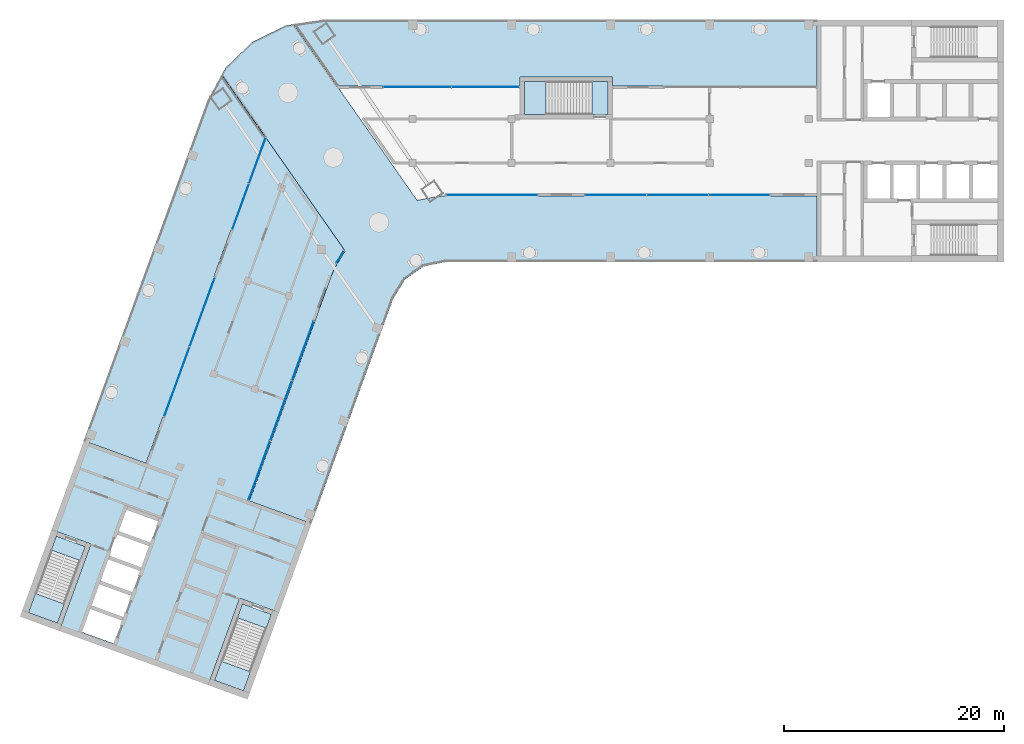
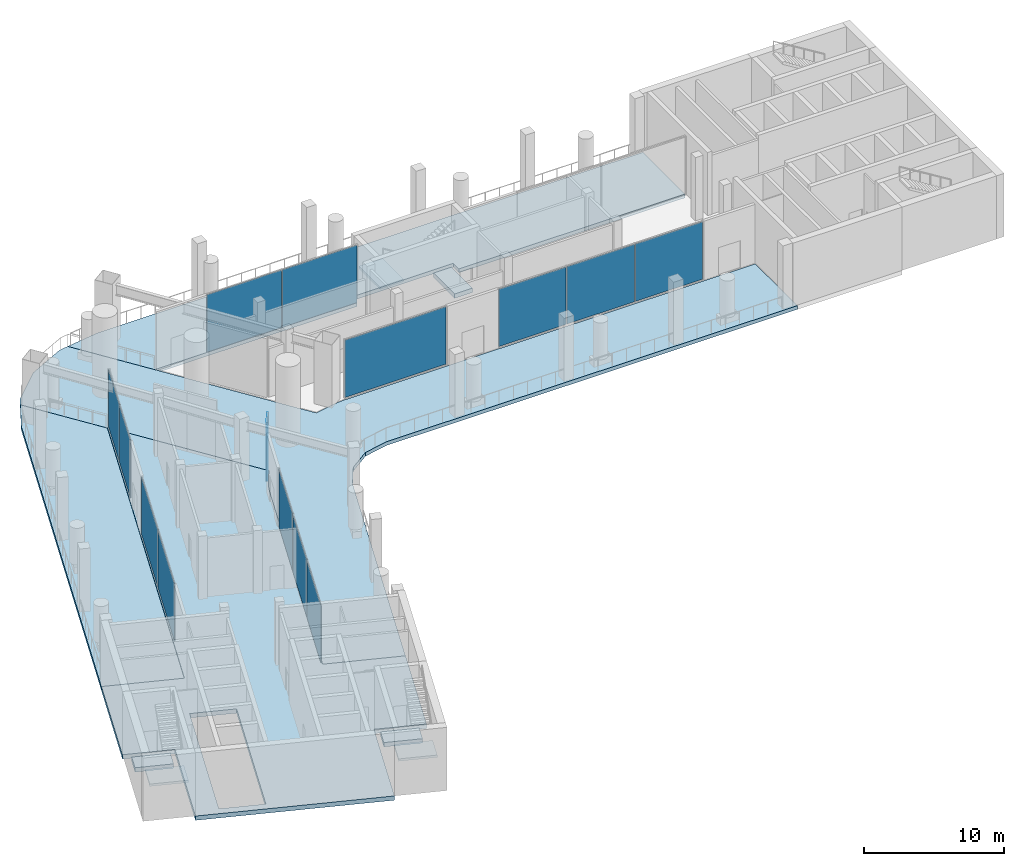
# One storey, part 6 of 17: 14 plates, 10 slabs, 10 elements without a shape of their own.
"""IFC4 building model written with IfcOpenShell, lengths in metres."""

import ifcopenshell
import ifcopenshell.guid

model = None  # the IFC model being written
_history = None  # IfcOwnerHistory: only IFC2X3 demands one
_inside = {}  # id of a spatial element -> (the spatial element, [elements in it])
_under = {}  # id of a project, library or spatial element -> (it, [spatial elements below it])
_declared = {}  # id of a project -> (the project, [libraries it declares])
_typed = {}  # id of a type object -> (the type object, [elements of that type])
_made_of = {}  # id of a material, layer set ... -> (it, [elements and type objects made of it])


def new_model(schema):
    """Start an empty IFC model of exactly this schema.

    Asked for "IFC4X3", IfcOpenShell would pick the latest addendum, in which some entities
    have other attributes; the version numbers below select the first issue.
    IFC2X3 requires an IfcOwnerHistory on every rooted entity: one is made here for all.
    """
    global model, _history
    if schema == "IFC4X3":
        model = ifcopenshell.file(schema_version=(4, 3, 0, 0))
    else:
        model = ifcopenshell.file(schema=schema)
    _inside.clear()
    _under.clear()
    _declared.clear()
    _typed.clear()
    _made_of.clear()
    _history = None
    if model.schema == "IFC2X3":
        org = make("IfcOrganization", Name="unknown")
        user = make(
            "IfcPersonAndOrganization",
            ThePerson=make("IfcPerson", FamilyName="unknown"),
            TheOrganization=org,
        )
        app = make(
            "IfcApplication",
            ApplicationDeveloper=org,
            Version="unknown",
            ApplicationFullName="unknown",
            ApplicationIdentifier="unknown",
        )
        _history = make(
            "IfcOwnerHistory",
            OwningUser=user,
            OwningApplication=app,
            ChangeAction="ADDED",
            CreationDate=0,
        )
    return model


def make(cls, **values):
    """One entity of the class cls with the attributes given. An attribute that is None is left unset."""
    return model.create_entity(
        cls, **{name: value for name, value in values.items() if value is not None}
    )


def rooted(cls, **values):
    """An entity with a GlobalId (a new one), such as an element, a storey or a relation."""
    return make(cls, GlobalId=ifcopenshell.guid.new(), OwnerHistory=_history, **values)


def si_unit(unit_type, name, prefix=None):
    """IfcSIUnit, for example si_unit("LENGTHUNIT", "METRE", prefix="MILLI")."""
    return make("IfcSIUnit", UnitType=unit_type, Prefix=prefix, Name=name)


def assignment(units):
    """IfcUnitAssignment: the units of a project."""
    return None if units is None else make("IfcUnitAssignment", Units=units)


def point(xyz):
    """IfcCartesianPoint."""
    return None if xyz is None else make("IfcCartesianPoint", Coordinates=xyz)


def direction(xyz):
    """IfcDirection."""
    return None if xyz is None else make("IfcDirection", DirectionRatios=xyz)


def frame(location, z_axis=None, x_axis=None):
    """IfcAxis2Placement3D, a coordinate frame: its origin and axes. An axis left out is left unset."""
    return make(
        "IfcAxis2Placement3D",
        Location=point(location),
        Axis=direction(z_axis),
        RefDirection=direction(x_axis),
    )


def frame_2d(location, x_axis=None):
    """IfcAxis2Placement2D, a coordinate frame in the plane: its origin and x axis."""
    return make(
        "IfcAxis2Placement2D", Location=point(location), RefDirection=direction(x_axis)
    )


def origin():
    """The frame at (0, 0, 0) with its axes left unset."""
    return frame((0.0, 0.0, 0.0))


def origin_2d():
    """The frame at (0, 0) in the plane with its x axis left unset."""
    return frame_2d((0.0, 0.0))


def place(relative_to, where):
    """IfcLocalPlacement: puts the frame where relative to a parent placement (None: the world)."""
    return make(
        "IfcLocalPlacement", PlacementRelTo=relative_to, RelativePlacement=where
    )


def context(
    kind, dimensions, precision=None, world=None, true_north=None, identifier=None
):
    """IfcGeometricRepresentationContext, for example the 3D "Model" context."""
    return make(
        "IfcGeometricRepresentationContext",
        ContextIdentifier=identifier,
        ContextType=kind,
        CoordinateSpaceDimension=dimensions,
        Precision=precision,
        WorldCoordinateSystem=world,
        TrueNorth=true_north,
    )


def subcontext(parent, identifier, kind, view, scale=None):
    """IfcGeometricRepresentationSubContext, for example "Body" below "Model"."""
    return make(
        "IfcGeometricRepresentationSubContext",
        ContextIdentifier=identifier,
        ContextType=kind,
        ParentContext=parent,
        TargetScale=scale,
        TargetView=view,
    )


def project(units=None, contexts=None):
    """IfcProject with its units and contexts."""
    return rooted(
        "IfcProject",
        Name="project",
        RepresentationContexts=contexts,
        UnitsInContext=assignment(units),
    )


def spatial(cls, under=None, at=None, **own):
    """A site, building, storey or space (cls), placed at a placement, below another one or the project."""
    s = rooted(cls, ObjectPlacement=at, **own)
    if under is not None:
        _under.setdefault(under.id(), (under, []))[1].append(s)
    return s


def polyline(points):
    """IfcPolyline through the points."""
    return make("IfcPolyline", Points=[point(p) for p in points])


def profile(cls, at=None, kind="AREA", **sizes):
    """A parametric profile (cls). Its sizes go by their IFC names, for example OverallWidth=200.0."""
    return make(cls, ProfileType=kind, Position=at, **sizes)


def rectangle(**sizes):
    """IfcRectangleProfileDef."""
    return profile("IfcRectangleProfileDef", **sizes)


def outline(outer, holes=None, kind="AREA"):
    """IfcArbitraryClosedProfileDef: a profile drawn as a closed curve; with holes, ...WithVoids."""
    if holes is None:
        return make("IfcArbitraryClosedProfileDef", ProfileType=kind, OuterCurve=outer)
    return make(
        "IfcArbitraryProfileDefWithVoids",
        ProfileType=kind,
        OuterCurve=outer,
        InnerCurves=holes,
    )


def extrude(swept, where, along, depth):
    """IfcExtrudedAreaSolid: the profile swept, set in the frame where, extruded along a direction by depth."""
    return make(
        "IfcExtrudedAreaSolid",
        SweptArea=swept,
        Position=where,
        ExtrudedDirection=direction(along),
        Depth=depth,
    )


def shape(context_of_items, identifier, shape_type, items):
    """IfcShapeRepresentation: the items that make up one representation, for example the "Body"."""
    return make(
        "IfcShapeRepresentation",
        ContextOfItems=context_of_items,
        RepresentationIdentifier=identifier,
        RepresentationType=shape_type,
        Items=items,
    )


def material(Name=None, Category=None):
    """IfcMaterial."""
    return make("IfcMaterial", Name=Name, Category=Category)


def layer(
    of_material, thickness, ventilated=None, Name=None, Category=None, Priority=None
):
    """IfcMaterialLayer: one layer of a wall or slab, of a material (None: an air gap)."""
    return make(
        "IfcMaterialLayer",
        Material=of_material,
        LayerThickness=thickness,
        IsVentilated=ventilated,
        Name=Name,
        Category=Category,
        Priority=Priority,
    )


def layer_set(layers, Name=None):
    """IfcMaterialLayerSet."""
    return make("IfcMaterialLayerSet", MaterialLayers=layers, LayerSetName=Name)


def made_of(thing, what):
    """Note that an element or type object is made of a material, layer set ...; save() writes the relation."""
    if what is not None:
        _made_of.setdefault(what.id(), (what, []))[1].append(thing)
    return thing


def type_object(cls, material=None, **own):
    """A type object (cls), such as IfcWallType, which elements share."""
    return made_of(rooted(cls, **own), material)


def element(
    cls,
    number,
    at=None,
    inside=None,
    cuts=None,
    type_object=None,
    material=None,
    context=None,
    identifier="Body",
    shape_type=None,
    held_by="IfcProductDefinitionShape",
    body=None,
    shapes=None,
    **own,
):
    """One element of the class cls, such as IfcWall. Its Tag is "e" and its number.

    at: its placement. inside: the storey or other place that contains it. cuts: it is an
    opening in that element (IfcRelVoidsElement). A single representation is given by context,
    identifier, shape_type and body (its items); several are given by shapes. held_by: the class
    of the entity that holds the representations. save() writes the other relations.
    """
    e = rooted(cls, Tag="e%d" % number, ObjectPlacement=at, **own)
    if body is not None:
        shapes = [shape(context, identifier, shape_type, body)]
    if shapes is not None:
        e.Representation = make(held_by, Representations=shapes)
    if inside is not None:
        _inside.setdefault(inside.id(), (inside, []))[1].append(e)
    if cuts is not None:
        rooted(
            "IfcRelVoidsElement", RelatingBuildingElement=cuts, RelatedOpeningElement=e
        )
    if type_object is not None:
        _typed.setdefault(type_object.id(), (type_object, []))[1].append(e)
    return made_of(e, material)


def aggregate(whole, parts):
    """IfcRelAggregates: a whole, such as a stair, and the parts it consists of."""
    return rooted("IfcRelAggregates", RelatingObject=whole, RelatedObjects=parts)


def save(model, path):
    """Write the relations noted so far, then the file.

    IfcRelAggregates (storeys below a building ...), IfcRelContainedInSpatialStructure (elements
    in a storey), IfcRelDefinesByType, IfcRelAssociatesMaterial and IfcRelDeclares: one each for
    every whole, place, type object, material and project.
    """
    for whole, parts in _under.values():
        aggregate(whole, parts)
    for where, things in _inside.values():
        rooted(
            "IfcRelContainedInSpatialStructure",
            RelatedElements=things,
            RelatingStructure=where,
        )
    for kind, things in _typed.values():
        rooted("IfcRelDefinesByType", RelatedObjects=things, RelatingType=kind)
    for what, things in _made_of.values():
        rooted("IfcRelAssociatesMaterial", RelatedObjects=things, RelatingMaterial=what)
    for by, libraries in _declared.values():
        rooted("IfcRelDeclares", RelatingContext=by, RelatedDefinitions=libraries)
    model.write(path)


model = new_model("IFC4")

# Units and contexts
model_context = context("Model", 3, precision=1e-05, world=origin(), true_north=direction((0.0, 1.0)))
body_context = subcontext(model_context, "Body", "Model", "MODEL_VIEW")
ifc_project = project(units=[si_unit("LENGTHUNIT", "METRE"), si_unit("AREAUNIT", "SQUARE_METRE"), si_unit("VOLUMEUNIT", "CUBIC_METRE"), si_unit("PLANEANGLEUNIT", "RADIAN"), si_unit("MASSUNIT", "GRAM", prefix="KILO")], contexts=[model_context])

# Site, building, storey
site_placement = place(None, origin())
site = spatial("IfcSite", under=ifc_project, at=site_placement, CompositionType="ELEMENT")
building_placement = place(site_placement, origin())
building = spatial("IfcBuilding", under=site, at=building_placement, Name="Skarvind Civic Tower", CompositionType="ELEMENT")
storey_placement = place(building_placement, frame((0.0, 0.0, 182.5)))
storey = spatial("IfcBuildingStorey", under=building, at=storey_placement, Name="L43", CompositionType="ELEMENT", Elevation=182.5)

# Curtain wall, plates
ifc_material_1 = material(Name="Aluminium alloy 6063 and laminated glass", Category="aluminium")
curtain_wall_type = type_object("IfcCurtainWallType", Name="CW3 SEPARATOR INNER GLAZING", PredefinedType="NOTDEFINED", material=ifc_material_1)
curtain_wall_1_placement = place(storey_placement, origin())
curtain_wall_1 = element("IfcCurtainWall", 1, at=curtain_wall_1_placement, inside=storey, type_object=curtain_wall_type, Name="SEPARATOR INNER GLAZING", PredefinedType="NOTDEFINED")
ifc_material_2 = material(Name="Laminated low-iron glass", Category="glass")
ifc_layer_1 = layer(ifc_material_2, 0.031982421875)
ifc_layer_set_1 = layer_set([ifc_layer_1], Name="CW3 GLASS PANEL 32")
plate_type = type_object("IfcPlateType", Name="CW3 GLASS PANEL 32", PredefinedType="CURTAIN_PANEL", material=ifc_layer_set_1)
plate_1_placement = place(storey_placement, frame((54.66748046875, 132.89990234375, 0.06005859375), z_axis=(0.0, 0.0, 1.0), x_axis=(1.0, 0.0, 0.0)))
plate_1 = element("IfcPlate", 2, at=plate_1_placement, type_object=plate_type, Name="CW3 panel 1.1", PredefinedType="CURTAIN_PANEL", context=body_context, shape_type="SweptSolid", body=[
    extrude(rectangle(XDim=6.1416015625, YDim=0.031982421875, at=origin_2d()), origin(), (0.0, 0.0, 1.0), 5.0048828125),
])
plate_2_placement = place(storey_placement, frame((60.869140625, 132.89990234375, 0.06005859375), z_axis=(0.0, 0.0, 1.0), x_axis=(1.0, 0.0, 0.0)))
plate_2 = element("IfcPlate", 3, at=plate_2_placement, type_object=plate_type, Name="CW3 panel 2.1", PredefinedType="CURTAIN_PANEL", context=body_context, shape_type="SweptSolid", body=[
    extrude(rectangle(XDim=6.1416015625, YDim=0.031982421875, at=origin_2d()), origin(), (0.0, 0.0, 1.0), 5.0048828125),
])
aggregate(curtain_wall_1, [plate_1, plate_2])

curtain_wall_2_placement = place(storey_placement, origin())
curtain_wall_2 = element("IfcCurtainWall", 4, at=curtain_wall_2_placement, inside=storey, type_object=curtain_wall_type, Name="SEPARATOR INNER GLAZING", PredefinedType="NOTDEFINED")
plate_3_placement = place(storey_placement, frame((83.95068359375, 123.10009765625, 0.06005859375), z_axis=(0.0, 0.0, 1.0), x_axis=(-1.0, 0.0, 0.0)))
plate_3 = element("IfcPlate", 5, at=plate_3_placement, type_object=plate_type, Name="CW3 panel 1.1", PredefinedType="CURTAIN_PANEL", context=body_context, shape_type="SweptSolid", body=[
    extrude(rectangle(XDim=5.53759765625, YDim=0.031982421875, at=origin_2d()), origin(), (0.0, 0.0, 1.0), 5.0048828125),
])
plate_4_placement = place(storey_placement, frame((78.338134765625, 123.10009765625, 0.06005859375), z_axis=(0.0, 0.0, 1.0), x_axis=(-1.0, 0.0, 0.0)))
plate_4 = element("IfcPlate", 6, at=plate_4_placement, type_object=plate_type, Name="CW3 panel 2.1", PredefinedType="CURTAIN_PANEL", context=body_context, shape_type="SweptSolid", body=[
    extrude(rectangle(XDim=5.5673828125, YDim=0.031982421875, at=origin_2d()), origin(), (0.0, 0.0, 1.0), 5.0048828125),
])
plate_5_placement = place(storey_placement, frame((72.7255859375, 123.10009765625, 0.06005859375), z_axis=(0.0, 0.0, 1.0), x_axis=(-1.0, 0.0, 0.0)))
plate_5 = element("IfcPlate", 7, at=plate_5_placement, type_object=plate_type, Name="CW3 panel 3.1", PredefinedType="CURTAIN_PANEL", context=body_context, shape_type="SweptSolid", body=[
    extrude(rectangle(XDim=5.53759765625, YDim=0.031982421875, at=origin_2d()), origin(), (0.0, 0.0, 1.0), 5.0048828125),
])
aggregate(curtain_wall_2, [plate_3, plate_4, plate_5])

# Curtain wall, plate
curtain_wall_3_placement = place(storey_placement, origin())
curtain_wall_3 = element("IfcCurtainWall", 8, at=curtain_wall_3_placement, inside=storey, type_object=curtain_wall_type, Name="SEPARATOR INNER GLAZING", PredefinedType="NOTDEFINED")
plate_6_placement = place(storey_placement, frame((61.455810546875, 123.10009765625, 0.06005859375), z_axis=(0.0, 0.0, 1.0), x_axis=(-1.0, 0.0, 0.0)))
plate_6 = element("IfcPlate", 9, at=plate_6_placement, type_object=plate_type, Name="CW3 panel 1.1", PredefinedType="CURTAIN_PANEL", context=body_context, shape_type="SweptSolid", body=[
    extrude(rectangle(XDim=8.3212890625, YDim=0.031982421875, at=origin_2d()), origin(), (0.0, 0.0, 1.0), 5.0048828125),
])
aggregate(curtain_wall_3, [plate_6])

curtain_wall_4_placement = place(storey_placement, origin())
curtain_wall_4 = element("IfcCurtainWall", 10, at=curtain_wall_4_placement, inside=storey, type_object=curtain_wall_type, Name="SEPARATOR INNER GLAZING", PredefinedType="NOTDEFINED")
plate_7_placement = place(storey_placement, frame((47.6591796875, 117.46533203125, 0.06005859375), z_axis=(0.0, 0.0, 1.0), x_axis=(-0.522426713841, -0.852684190463, 0.0)))
plate_7 = element("IfcPlate", 11, at=plate_7_placement, type_object=plate_type, Name="CW3 panel 1.1", PredefinedType="CURTAIN_PANEL", context=body_context, shape_type="SweptSolid", body=[
    extrude(rectangle(XDim=1.283447265625, YDim=0.031982421875, at=origin_2d()), origin(), (0.0, 0.0, 1.0), 5.0048828125),
])
aggregate(curtain_wall_4, [plate_7])

# Curtain wall, plates
curtain_wall_5_placement = place(storey_placement, origin())
curtain_wall_5 = element("IfcCurtainWall", 12, at=curtain_wall_5_placement, inside=storey, type_object=curtain_wall_type, Name="SEPARATOR INNER GLAZING", PredefinedType="NOTDEFINED")
plate_8_placement = place(storey_placement, frame((32.8173828125, 106.10791015625, 0.06005859375), z_axis=(0.0, 0.0, 1.0), x_axis=(0.342021539093, 0.939692112767, 0.0)))
plate_8 = element("IfcPlate", 13, at=plate_8_placement, type_object=plate_type, Name="CW3 panel 1.1", PredefinedType="CURTAIN_PANEL", context=body_context, shape_type="SweptSolid", body=[
    extrude(rectangle(XDim=6.685302734375, YDim=0.031982421875, at=origin_2d()), origin(), (0.0, 0.0, 1.0), 5.0048828125),
])
plate_9_placement = place(storey_placement, frame((35.12451171875, 112.446533203125, 0.06005859375), z_axis=(0.0, 0.0, 1.0), x_axis=(0.342021539093, 0.939692112767, 0.0)))
plate_9 = element("IfcPlate", 14, at=plate_9_placement, type_object=plate_type, Name="CW3 panel 2.1", PredefinedType="CURTAIN_PANEL", context=body_context, shape_type="SweptSolid", body=[
    extrude(rectangle(XDim=6.685302734375, YDim=0.031982421875, at=origin_2d()), origin(), (0.0, 0.0, 1.0), 5.0048828125),
])
aggregate(curtain_wall_5, [plate_8, plate_9])

curtain_wall_6_placement = place(storey_placement, origin())
curtain_wall_6 = element("IfcCurtainWall", 15, at=curtain_wall_6_placement, inside=storey, type_object=curtain_wall_type, Name="SEPARATOR INNER GLAZING", PredefinedType="NOTDEFINED")
plate_10_placement = place(storey_placement, frame((38.610595703125, 122.024658203125, 0.06005859375), z_axis=(0.0, 0.0, 1.0), x_axis=(0.342019466746, 0.93969286704, 0.0)))
plate_10 = element("IfcPlate", 16, at=plate_10_placement, type_object=plate_type, Name="CW3 panel 1.1", PredefinedType="CURTAIN_PANEL", context=body_context, shape_type="SweptSolid", body=[
    extrude(rectangle(XDim=4.4267578125, YDim=0.031982421875, at=origin_2d()), origin(), (0.0, 0.0, 1.0), 5.0048828125),
])
plate_11_placement = place(storey_placement, frame((40.145263671875, 126.240966796875, 0.06005859375), z_axis=(0.0, 0.0, 1.0), x_axis=(0.342019466746, 0.93969286704, 0.0)))
plate_11 = element("IfcPlate", 17, at=plate_11_placement, type_object=plate_type, Name="CW3 panel 2.1", PredefinedType="CURTAIN_PANEL", context=body_context, shape_type="SweptSolid", body=[
    extrude(rectangle(XDim=4.4267578125, YDim=0.031982421875, at=origin_2d()), origin(), (0.0, 0.0, 1.0), 5.0048828125),
])
aggregate(curtain_wall_6, [plate_10, plate_11])

curtain_wall_7_placement = place(storey_placement, origin())
curtain_wall_7 = element("IfcCurtainWall", 18, at=curtain_wall_7_placement, inside=storey, type_object=curtain_wall_type, Name="SEPARATOR INNER GLAZING", PredefinedType="NOTDEFINED")
plate_12_placement = place(storey_placement, frame((44.275390625, 108.93505859375, 0.06005859375), z_axis=(0.0, 0.0, 1.0), x_axis=(-0.342017882714, -0.939693443578, 0.0)))
plate_12 = element("IfcPlate", 19, at=plate_12_placement, type_object=plate_type, Name="CW3 panel 1.1", PredefinedType="CURTAIN_PANEL", context=body_context, shape_type="SweptSolid", body=[
    extrude(rectangle(XDim=5.7138671875, YDim=0.031982421875, at=origin_2d()), origin(), (0.0, 0.0, 1.0), 5.0048828125),
])
plate_13_placement = place(storey_placement, frame((42.29541015625, 103.4951171875, 0.06005859375), z_axis=(0.0, 0.0, 1.0), x_axis=(-0.342017882714, -0.939693443578, 0.0)))
plate_13 = element("IfcPlate", 20, at=plate_13_placement, type_object=plate_type, Name="CW3 panel 2.1", PredefinedType="CURTAIN_PANEL", context=body_context, shape_type="SweptSolid", body=[
    extrude(rectangle(XDim=5.743896484375, YDim=0.031982421875, at=origin_2d()), origin(), (0.0, 0.0, 1.0), 5.0048828125),
])
plate_14_placement = place(storey_placement, frame((40.3154296875, 98.05517578125, 0.06005859375), z_axis=(0.0, 0.0, 1.0), x_axis=(-0.342017882714, -0.939693443578, 0.0)))
plate_14 = element("IfcPlate", 21, at=plate_14_placement, type_object=plate_type, Name="CW3 panel 3.1", PredefinedType="CURTAIN_PANEL", context=body_context, shape_type="SweptSolid", body=[
    extrude(rectangle(XDim=5.7138671875, YDim=0.031982421875, at=origin_2d()), origin(), (0.0, 0.0, 1.0), 5.0048828125),
])
aggregate(curtain_wall_7, [plate_12, plate_13, plate_14])

# Slabs
ifc_material_3 = material(Name="Concrete C50", Category="concrete")
ifc_layer_2 = layer(ifc_material_3, 0.375)
ifc_layer_set_2 = layer_set([ifc_layer_2], Name="Floor slab 375 C50")
slab_type_1 = type_object("IfcSlabType", Name="Floor slab 375 C50", PredefinedType="FLOOR", material=ifc_layer_set_2)
slab_1_placement = place(storey_placement, frame((0.0, 0.0, -0.375)))
element("IfcSlab", 22, at=slab_1_placement, inside=storey, type_object=slab_type_1, Name="Floor slab L43 2", PredefinedType="FLOOR", context=body_context, shape_type="SweptSolid", body=[
    extrude(outline(polyline([(47.089599609375, 116.28662109375), (47.377685546875, 116.814697265625), (48.111083984375, 118.011474609375), (40.828857421875, 128.411376953125), (30.014892578125, 98.7001953125), (24.376708984375, 100.75244140625), (22.904541015625, 96.70751953125), (19.475341796875, 87.2861328125), (19.41748046875, 87.126708984375), (21.435302734375, 92.6708984375), (25.006103515625, 91.371337890625), (22.13330078125, 83.477783203125), (36.886474609375, 78.108154296875), (35.664794921875, 78.552734375), (38.53759765625, 86.4462890625), (42.108642578125, 85.146484375), (42.015380859375, 84.890625), (45.050048828125, 93.227783203125), (39.411865234375, 95.280029296875), (46.855712890625, 115.732421875), (47.089599609375, 116.28662109375)]), holes=[polyline([(25.671630859375, 87.9365234375), (26.492431640625, 90.19189453125), (27.313232421875, 92.447021484375), (28.134033203125, 94.702392578125), (31.3291015625, 93.53955078125), (30.50830078125, 91.2841796875), (29.6875, 89.029052734375), (28.866455078125, 86.773681640625), (28.866455078125, 86.773681640625), (28.045654296875, 84.5185546875), (27.224853515625, 82.26318359375), (24.02978515625, 83.426025390625), (24.8505859375, 85.681396484375), (25.671630859375, 87.9365234375), (25.671630859375, 87.9365234375)])]), origin(), (0.0, 0.0, 1.0), 0.375),
])
ifc_layer_3 = layer(ifc_material_3, 0.324951171875)
ifc_layer_set_3 = layer_set([ifc_layer_3], Name="Slot and portal deck slab 325 C50")
slab_type_2 = type_object("IfcSlabType", Name="Slot and portal deck slab 325 C50", PredefinedType="FLOOR", material=ifc_layer_set_3)
slab_2_placement = place(storey_placement, frame((0.0, 0.0, -0.375)))
element("IfcSlab", 23, at=slab_2_placement, inside=storey, type_object=slab_type_2, Name="Terrace slab L43 1", PredefinedType="FLOOR", context=body_context, shape_type="SweptSolid", body=[
    extrude(outline(polyline([(46.855712890625, 115.732421875), (39.411865234375, 95.280029296875), (45.050048828125, 93.227783203125), (52.0322265625, 112.411376953125), (52.493896484375, 113.68017578125), (53.560791015625, 115.421630859375), (55.23388671875, 116.593017578125), (57.235107421875, 117.0), (58.58544921875, 117.0), (91.0, 117.0), (91.0, 123.0), (57.235107421875, 123.0), (56.63427734375, 122.9697265625), (56.03955078125, 122.879638671875), (54.664306640625, 122.60009765625), (43.455810546875, 138.607421875), (42.739501953125, 138.5009765625), (39.6943359375, 137.005615234375), (37.24755859375, 134.6552734375), (36.902587890625, 134.018798828125), (48.111083984375, 118.011474609375), (47.377685546875, 116.814697265625), (47.089599609375, 116.28662109375), (46.855712890625, 115.732421875)])), origin(), (0.0, 0.0, 1.0), 0.324951171875),
])
slab_3_placement = place(storey_placement, frame((0.0, 0.0, -0.375)))
element("IfcSlab", 24, at=slab_3_placement, inside=storey, type_object=slab_type_2, Name="Terrace slab L43 2", PredefinedType="FLOOR", context=body_context, shape_type="SweptSolid", body=[
    extrude(outline(polyline([(72.39990234375, 133.0), (91.0, 133.0), (91.0, 139.0), (46.095458984375, 139.0), (43.455810546875, 138.607421875), (47.382080078125, 133.0), (64.0, 133.0), (64.0, 133.800048828125), (72.39990234375, 133.800048828125), (72.39990234375, 133.0)])), origin(), (0.0, 0.0, 1.0), 0.324951171875),
])
slab_4_placement = place(storey_placement, frame((0.0, 0.0, -0.375)))
element("IfcSlab", 25, at=slab_4_placement, inside=storey, type_object=slab_type_2, Name="Terrace slab L43 3", PredefinedType="FLOOR", context=body_context, shape_type="SweptSolid", body=[
    extrude(outline(polyline([(30.014892578125, 98.7001953125), (40.828857421875, 128.411376953125), (36.902587890625, 134.018798828125), (35.630615234375, 131.672607421875), (24.376708984375, 100.75244140625), (30.014892578125, 98.7001953125)])), origin(), (0.0, 0.0, 1.0), 0.324951171875),
])
ifc_material_4 = material(Name="Concrete C40/50", Category="concrete")
ifc_layer_4 = layer(ifc_material_4, 0.375)
ifc_layer_set_4 = layer_set([ifc_layer_4], Name="Stair floor landing slab 375")
slab_type_3 = type_object("IfcSlabType", Name="Stair floor landing slab 375", PredefinedType="LANDING", material=ifc_layer_set_4)
slab_5_placement = place(storey_placement, frame((0.0, 0.0, -0.375)))
element("IfcSlab", 26, at=slab_5_placement, inside=storey, type_object=slab_type_3, Name="Stair floor landing", PredefinedType="LANDING", context=body_context, shape_type="SweptSolid", body=[
    extrude(outline(polyline([(40.946533203125, 83.70654296875), (38.314208984375, 84.66455078125), (38.7763671875, 85.934326171875), (41.40869140625, 84.976318359375), (40.946533203125, 83.70654296875)])), origin(), (0.0, 0.0, 1.0), 0.375),
])
slab_6_placement = place(storey_placement, frame((0.0, 0.0, -0.375)))
element("IfcSlab", 27, at=slab_6_placement, inside=storey, type_object=slab_type_3, Name="Stair floor landing", PredefinedType="LANDING", context=body_context, shape_type="SweptSolid", body=[
    extrude(outline(polyline([(24.0322265625, 89.863037109375), (21.39990234375, 90.821044921875), (21.862060546875, 92.090576171875), (24.494384765625, 91.132568359375), (24.0322265625, 89.863037109375)])), origin(), (0.0, 0.0, 1.0), 0.375),
])
slab_7_placement = place(storey_placement, frame((0.0, 0.0, -0.375)))
element("IfcSlab", 28, at=slab_7_placement, inside=storey, type_object=slab_type_3, Name="Stair floor landing", PredefinedType="LANDING", context=body_context, shape_type="SweptSolid", body=[
    extrude(outline(polyline([(70.54931640625, 130.3994140625), (70.54931640625, 133.400634765625), (72.00048828125, 133.400634765625), (72.00048828125, 130.3994140625), (70.54931640625, 130.3994140625)])), origin(), (0.0, 0.0, 1.0), 0.375),
])

# Stair, slab
stair_type_1 = type_object("IfcStairType", Name="Exit stair, half-turn, concrete", PredefinedType="HALF_TURN_STAIR", material=ifc_material_4)
stair_1_placement = place(storey_placement, origin())
stair_1 = element("IfcStair", 29, at=stair_1_placement, inside=storey, type_object=stair_type_1, Name="Exit stair C2S", PredefinedType="HALF_TURN_STAIR")
ifc_layer_5 = layer(ifc_material_4, 0.199951171875)
ifc_layer_set_5 = layer_set([ifc_layer_5], Name="Stair half landing slab")
slab_type_4 = type_object("IfcSlabType", Name="Stair half landing slab", PredefinedType="LANDING", material=ifc_layer_set_5)
slab_8_placement = place(storey_placement, frame((0.0, 0.0, 2.550048828125)))
slab_8 = element("IfcSlab", 30, at=slab_8_placement, type_object=slab_type_4, Name="ST-C2S landing 1", PredefinedType="LANDING", context=body_context, shape_type="SweptSolid", body=[
    extrude(outline(polyline([(36.878173828125, 80.718994140625), (39.510498046875, 79.760986328125), (38.87744140625, 78.021484375), (36.2451171875, 78.9794921875), (36.878173828125, 80.718994140625)])), origin(), (0.0, 0.0, 1.0), 0.199951171875),
])
aggregate(stair_1, [slab_8])

stair_2_placement = place(storey_placement, origin())
stair_2 = element("IfcStair", 31, at=stair_2_placement, inside=storey, type_object=stair_type_1, Name="Exit stair C2N", PredefinedType="HALF_TURN_STAIR")
slab_9_placement = place(storey_placement, frame((0.0, 0.0, 2.550048828125)))
slab_9 = element("IfcSlab", 32, at=slab_9_placement, type_object=slab_type_4, Name="ST-C2N landing 1", PredefinedType="LANDING", context=body_context, shape_type="SweptSolid", body=[
    extrude(outline(polyline([(19.9638671875, 86.87548828125), (22.595947265625, 85.917236328125), (21.962890625, 84.177734375), (19.33056640625, 85.1357421875), (19.9638671875, 86.87548828125)])), origin(), (0.0, 0.0, 1.0), 0.199951171875),
])
aggregate(stair_2, [slab_9])

stair_type_2 = type_object("IfcStairType", Name="Exit stair 1450, half-turn, concrete", PredefinedType="HALF_TURN_STAIR", material=ifc_material_4)
stair_3_placement = place(storey_placement, origin())
stair_3 = element("IfcStair", 33, at=stair_3_placement, inside=storey, type_object=stair_type_2, Name="Exit stair CM", PredefinedType="HALF_TURN_STAIR")
slab_10_placement = place(storey_placement, frame((0.0, 0.0, 2.550048828125)))
slab_10 = element("IfcSlab", 34, at=slab_10_placement, type_object=slab_type_4, Name="ST-CM landing 1", PredefinedType="LANDING", context=body_context, shape_type="SweptSolid", body=[
    extrude(outline(polyline([(66.3505859375, 133.400634765625), (66.3505859375, 130.3994140625), (64.3994140625, 130.3994140625), (64.3994140625, 133.400634765625), (66.3505859375, 133.400634765625)])), origin(), (0.0, 0.0, 1.0), 0.199951171875),
])
aggregate(stair_3, [slab_10])

save(model, "model.ifc")
